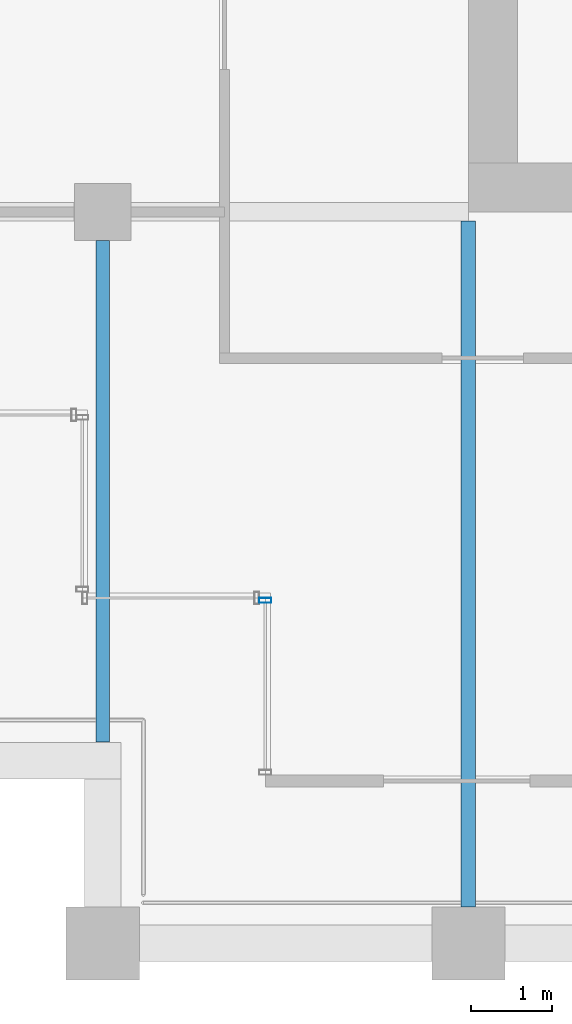
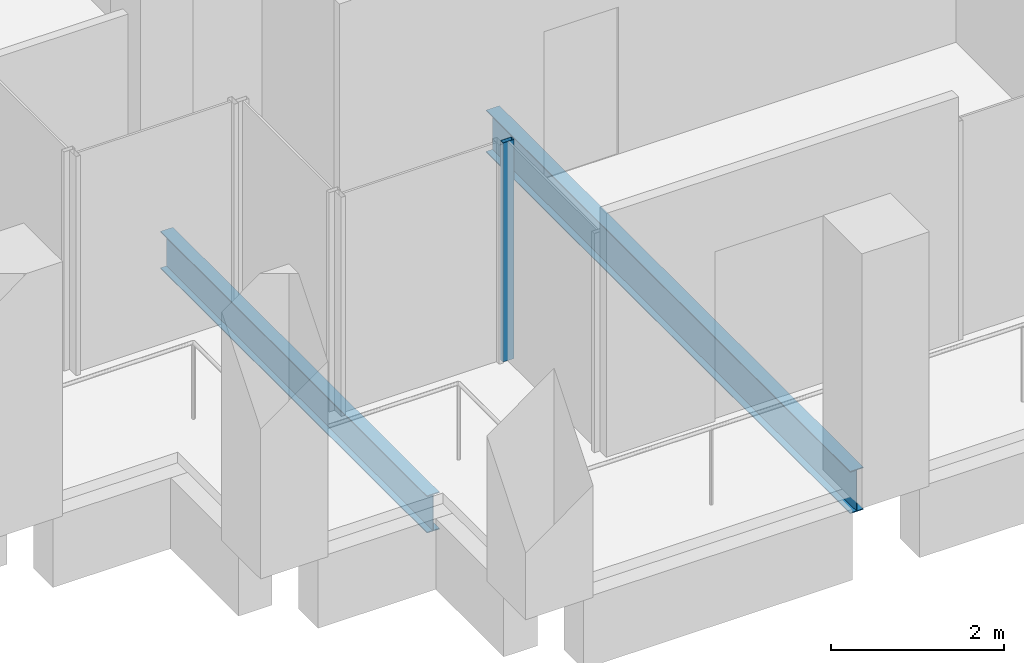
# One storey, part 29 of 40: 2 beams, 1 member, 1 element without a shape of its own.
"""IFC4 building model written with IfcOpenShell, lengths in metres."""

from ifc_helpers import new_model, si_unit, direction, frame, origin, origin_2d, place, context, subcontext, project, spatial, hollow_rectangle, i_section, extrude, material, material_profile, profile_set, type_object, element, aggregate, save


model = new_model("IFC4")

# Units and contexts
model_context = context("Model", 3, precision=1e-05, world=origin(), true_north=direction((0.0, 1.0)))
body_context = subcontext(model_context, "Body", "Model", "MODEL_VIEW")
ifc_project = project(units=[si_unit("LENGTHUNIT", "METRE"), si_unit("AREAUNIT", "SQUARE_METRE"), si_unit("VOLUMEUNIT", "CUBIC_METRE"), si_unit("PLANEANGLEUNIT", "RADIAN"), si_unit("MASSUNIT", "GRAM", prefix="KILO")], contexts=[model_context])

# Site, building, storey
site_placement = place(None, origin())
site = spatial("IfcSite", under=ifc_project, at=site_placement, CompositionType="ELEMENT")
building_placement = place(site_placement, origin())
building = spatial("IfcBuilding", under=site, at=building_placement, Name="Altepetl Exchange Towers", CompositionType="ELEMENT")
storey_placement = place(building_placement, frame((0.0, 0.0, 169.0)))
storey = spatial("IfcBuildingStorey", under=building, at=storey_placement, Name="L42", CompositionType="ELEMENT", Elevation=169.0)

# Beams
ifc_material_1 = material(Name="Steel S355", Category="steel")
ifc_material_profile_1 = material_profile(ifc_material_1, i_section(OverallWidth=0.166015625, OverallDepth=0.529052734375, WebThickness=0.009765625, FlangeThickness=0.013671875, at=origin_2d()), Name="W21X50")
ifc_profile_set_1 = profile_set([ifc_material_profile_1], Name="Steel S355")
beam_type_1 = type_object("IfcBeamType", Name="Floor beam W21X50", PredefinedType="BEAM", material=ifc_profile_set_1)
beam_1_placement = place(storey_placement, frame((99.0, 29.47509765625, -0.41455078125), z_axis=(0.0, 1.0, 0.0), x_axis=(-1.0, 0.0, 0.0)))
element("IfcBeam", 1, at=beam_1_placement, inside=storey, type_object=beam_type_1, Name="bm:B:L42:000", PredefinedType="BEAM", context=body_context, shape_type="SweptSolid", body=[
    extrude(i_section(OverallWidth=0.166015625, OverallDepth=0.529052734375, WebThickness=0.009765625, FlangeThickness=0.013671875, at=origin_2d()), origin(), (0.0, 0.0, 1.0), 6.1748046875),
])
ifc_material_profile_2 = material_profile(ifc_material_1, i_section(OverallWidth=0.177978515625, OverallDepth=0.59912109375, WebThickness=0.010009765625, FlangeThickness=0.0126953125, at=origin_2d()), Name="W24X55")
ifc_profile_set_2 = profile_set([ifc_material_profile_2], Name="Steel S355")
beam_type_2 = type_object("IfcBeamType", Name="Floor beam W24X55", PredefinedType="BEAM", material=ifc_profile_set_2)
beam_2_placement = place(storey_placement, frame((103.5, 27.449951171875, -0.449462890625), z_axis=(0.0, 1.0, 0.0), x_axis=(-1.0, 0.0, 0.0)))
element("IfcBeam", 2, at=beam_2_placement, inside=storey, type_object=beam_type_2, Name="bm:B:L42:001", PredefinedType="BEAM", context=body_context, shape_type="SweptSolid", body=[
    extrude(i_section(OverallWidth=0.177978515625, OverallDepth=0.59912109375, WebThickness=0.010009765625, FlangeThickness=0.0126953125, at=origin_2d()), origin(), (0.0, 0.0, 1.0), 8.43603515625),
])

# Curtain wall, member
ifc_material_2 = material(Name="Aluminium 6063-T6 glazing", Category="aluminium")
curtain_wall_type = type_object("IfcCurtainWallType", Name="Loggia glazing system", PredefinedType="NOTDEFINED", material=ifc_material_2)
curtain_wall_placement = place(storey_placement, origin())
curtain_wall = element("IfcCurtainWall", 3, at=curtain_wall_placement, inside=storey, type_object=curtain_wall_type, Name="CW1 run", PredefinedType="NOTDEFINED")
ifc_material_3 = material(Name="Aluminium 6063-T6", Category="aluminium")
ifc_material_profile_3 = material_profile(ifc_material_3, hollow_rectangle(XDim=0.06005859375, YDim=0.14990234375, WallThickness=0.0029296875, at=origin_2d()), Name="Mullion 60x150 aluminium")
ifc_profile_set_3 = profile_set([ifc_material_profile_3], Name="Aluminium 6063-T6")
member_type = type_object("IfcMemberType", Name="Mullion 60x150 aluminium", PredefinedType="MULLION", material=ifc_profile_set_3)
member_placement = place(storey_placement, frame((101.0, 31.219970703125, 0.0), z_axis=(0.0, 0.0, 1.0), x_axis=(0.0, -1.0, 0.0)))
member = element("IfcMember", 4, at=member_placement, type_object=member_type, Name="MU1 mullion", PredefinedType="MULLION", context=body_context, shape_type="SweptSolid", body=[
    extrude(hollow_rectangle(XDim=0.06005859375, YDim=0.14990234375, WallThickness=0.0029296875, at=origin_2d()), origin(), (0.0, 0.0, 1.0), 3.10009765625),
])
aggregate(curtain_wall, [member])

save(model, "model.ifc")
